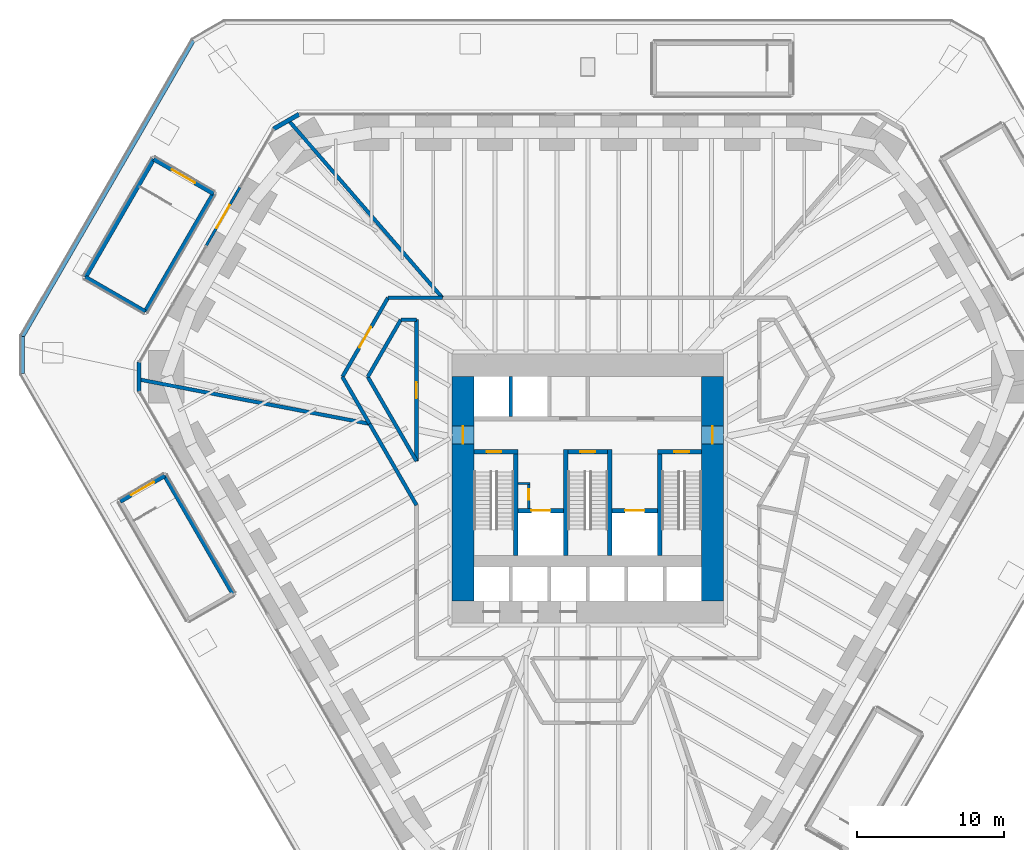
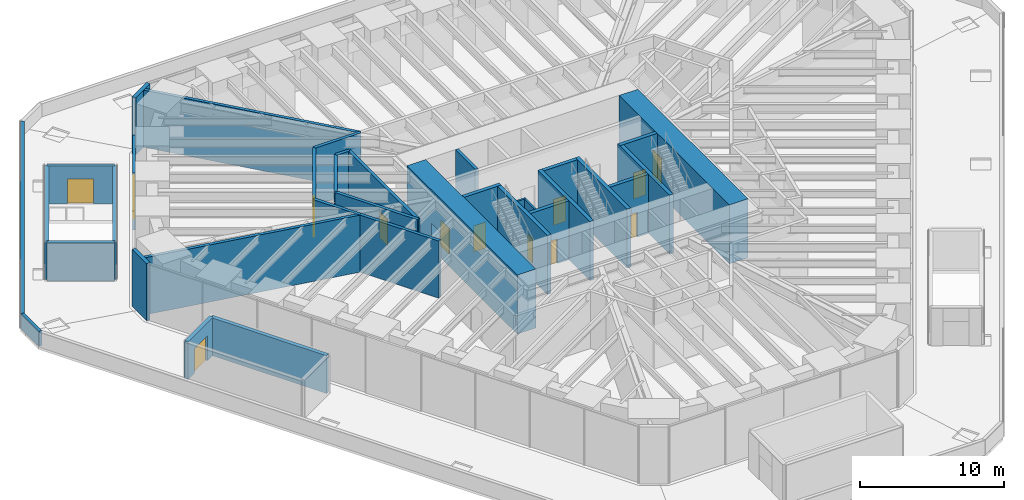
# One storey, part 12 of 20: 35 walls, 13 doors, 13 openings.
"""IFC4 building model written with IfcOpenShell, lengths in metres."""

from ifc_helpers import new_model, si_unit, direction, frame, frame_2d, origin, place, context, subcontext, project, spatial, rectangle, extrude, material, layer, layer_set, type_object, element, fill, save


model = new_model("IFC4")

# Units and contexts
model_context = context("Model", 3, precision=1e-05, world=origin(), true_north=direction((0.0, 1.0)))
body_context = subcontext(model_context, "Body", "Model", "MODEL_VIEW")
ifc_project = project(units=[si_unit("LENGTHUNIT", "METRE"), si_unit("AREAUNIT", "SQUARE_METRE"), si_unit("VOLUMEUNIT", "CUBIC_METRE"), si_unit("PLANEANGLEUNIT", "RADIAN"), si_unit("MASSUNIT", "GRAM", prefix="KILO")], contexts=[model_context])

# Site, building, storey
site_placement = place(None, origin())
site = spatial("IfcSite", under=ifc_project, at=site_placement, CompositionType="ELEMENT")
building_placement = place(site_placement, origin())
building = spatial("IfcBuilding", under=site, at=building_placement, Name="Sandreach Pilgrim Tower", CompositionType="ELEMENT")
storey_placement = place(building_placement, frame((0.0, 0.0, 18.0)))
storey = spatial("IfcBuildingStorey", under=building, at=storey_placement, Name="L03", CompositionType="ELEMENT", Elevation=18.0)

# Walls
ifc_material_1 = material(Name="Concrete 10000 psi", Category="concrete")
ifc_layer_1 = layer(ifc_material_1, 0.300048828125)
ifc_layer_set_1 = layer_set([ifc_layer_1], Name="Core inner wall 300")
wall_type_1 = type_object("IfcWallType", Name="Core inner wall 300", PredefinedType="SHEAR", material=ifc_layer_set_1)
for number, where, z_axis, x_axis, name in (
    (1, (-4.89990234375, -6.10009765625, 0.0), (0.0, 0.0, 1.0), (0.0, 1.0, 0.0), "Core wall I0 L03"),
    (2, (-1.5, -6.10009765625, 0.0), (0.0, 0.0, 1.0), (0.0, 1.0, 0.0), "Core wall I1 L03"),
    (3, (1.5, -6.10009765625, 0.0), (0.0, 0.0, 1.0), (0.0, 1.0, 0.0), "Core wall I2 L03"),
    (4, (4.89990234375, -6.10009765625, 0.0), (0.0, 0.0, 1.0), (0.0, 1.0, 0.0), "Core wall I3 L03"),
):
    element("IfcWall", number, at=place(storey_placement, frame(where, z_axis=z_axis, x_axis=x_axis)), inside=storey, type_object=wall_type_1, Name=name, PredefinedType="SHEAR", context=body_context, shape_type="SweptSolid", body=[
        extrude(rectangle(XDim=7.2001953125, YDim=0.300048828125, at=frame_2d((3.60009765625, 0.0))), origin(), (0.0, 0.0, 1.0), 5.0),
    ])

# Wall, opening, door
wall_1_placement = place(storey_placement, frame((-7.75, 0.949951171875, 0.0), z_axis=(0.0, 0.0, 1.0), x_axis=(1.0, 0.0, 0.0)))
wall_1 = element("IfcWall", 5, at=wall_1_placement, inside=storey, type_object=wall_type_1, Name="Core wall SN1 L03", PredefinedType="SHEAR", context=body_context, shape_type="SweptSolid", body=[
    extrude(rectangle(XDim=3.0, YDim=0.300048828125, at=frame_2d((1.5, 0.0))), origin(), (0.0, 0.0, 1.0), 5.0),
])
opening_1_placement = place(wall_1_placement, frame((0.85009765625, 0.0, 0.0)))
opening_1 = element("IfcOpeningElement", 6, at=opening_1_placement, cuts=wall_1, Name="Opening D10S-ST1", PredefinedType="OPENING", context=body_context, shape_type="SweptSolid", body=[
    extrude(rectangle(XDim=1.0, YDim=2.199951171875, at=frame_2d((0.5, 1.10009765625))), frame((0.0, 0.14990234375, 0.0), z_axis=(0.0, -1.0, 0.0), x_axis=(1.0, 0.0, 0.0)), (0.0, 0.0, 1.0), 0.300048828125),
])
ifc_material_2 = material(Name="Steel door and frame", Category="steel")
door_type_1 = type_object("IfcDoorType", Name="Stair door", OperationType="SINGLE_SWING_LEFT", PredefinedType="DOOR", material=ifc_material_2)
door_1_placement = place(opening_1_placement, origin())
door_1 = element("IfcDoor", 7, at=door_1_placement, inside=storey, type_object=door_type_1, Name="Stair door ST1 L03", OperationType="SINGLE_SWING_LEFT", OverallHeight=2.199951171875, OverallWidth=1.0, PredefinedType="DOOR", context=body_context, shape_type="SweptSolid", body=[
    extrude(rectangle(XDim=1.0, YDim=2.199951171875, at=frame_2d((0.5, 1.10009765625))), frame((0.0, 0.02490234375, 0.0), z_axis=(0.0, -1.0, 0.0), x_axis=(1.0, 0.0, 0.0)), (0.0, 0.0, 1.0), 0.050048828125),
])
fill(opening_1, door_1)

wall_2_placement = place(storey_placement, frame((-1.35009765625, 0.949951171875, 0.0), z_axis=(0.0, 0.0, 1.0), x_axis=(1.0, 0.0, 0.0)))
wall_2 = element("IfcWall", 8, at=wall_2_placement, inside=storey, type_object=wall_type_1, Name="Core wall SN3 L03", PredefinedType="SHEAR", context=body_context, shape_type="SweptSolid", body=[
    extrude(rectangle(XDim=2.7001953125, YDim=0.300048828125, at=frame_2d((1.35009765625, 0.0))), origin(), (0.0, 0.0, 1.0), 5.0),
])
opening_2_placement = place(wall_2_placement, frame((0.85009765625, 0.0, 0.0)))
opening_2 = element("IfcOpeningElement", 9, at=opening_2_placement, cuts=wall_2, Name="Opening D10S-ST3", PredefinedType="OPENING", context=body_context, shape_type="SweptSolid", body=[
    extrude(rectangle(XDim=1.0, YDim=2.199951171875, at=frame_2d((0.5, 1.10009765625))), frame((0.0, 0.14990234375, 0.0), z_axis=(0.0, -1.0, 0.0), x_axis=(1.0, 0.0, 0.0)), (0.0, 0.0, 1.0), 0.300048828125),
])
door_2_placement = place(opening_2_placement, origin())
door_2 = element("IfcDoor", 10, at=door_2_placement, inside=storey, type_object=door_type_1, Name="Stair door ST3 L03", OperationType="SINGLE_SWING_LEFT", OverallHeight=2.199951171875, OverallWidth=1.0, PredefinedType="DOOR", context=body_context, shape_type="SweptSolid", body=[
    extrude(rectangle(XDim=1.0, YDim=2.199951171875, at=frame_2d((0.5, 1.10009765625))), frame((0.0, 0.02490234375, 0.0), z_axis=(0.0, -1.0, 0.0), x_axis=(1.0, 0.0, 0.0)), (0.0, 0.0, 1.0), 0.050048828125),
])
fill(opening_2, door_2)

wall_3_placement = place(storey_placement, frame((4.75, 0.949951171875, 0.0), z_axis=(0.0, 0.0, 1.0), x_axis=(1.0, 0.0, 0.0)))
wall_3 = element("IfcWall", 11, at=wall_3_placement, inside=storey, type_object=wall_type_1, Name="Core wall SN2 L03", PredefinedType="SHEAR", context=body_context, shape_type="SweptSolid", body=[
    extrude(rectangle(XDim=3.0, YDim=0.300048828125, at=frame_2d((1.5, 0.0))), origin(), (0.0, 0.0, 1.0), 5.0),
])
opening_3_placement = place(wall_3_placement, frame((1.14990234375, 0.0, 0.0)))
opening_3 = element("IfcOpeningElement", 12, at=opening_3_placement, cuts=wall_3, Name="Opening D10S-ST2", PredefinedType="OPENING", context=body_context, shape_type="SweptSolid", body=[
    extrude(rectangle(XDim=1.0, YDim=2.199951171875, at=frame_2d((0.5, 1.10009765625))), frame((0.0, 0.14990234375, 0.0), z_axis=(0.0, -1.0, 0.0), x_axis=(1.0, 0.0, 0.0)), (0.0, 0.0, 1.0), 0.300048828125),
])
door_3_placement = place(opening_3_placement, origin())
door_3 = element("IfcDoor", 13, at=door_3_placement, inside=storey, type_object=door_type_1, Name="Stair door ST2 L03", OperationType="SINGLE_SWING_RIGHT", OverallHeight=2.199951171875, OverallWidth=1.0, PredefinedType="DOOR", context=body_context, shape_type="SweptSolid", body=[
    extrude(rectangle(XDim=1.0, YDim=2.199951171875, at=frame_2d((0.5, 1.10009765625))), frame((0.0, 0.02490234375, 0.0), z_axis=(0.0, -1.0, 0.0), x_axis=(1.0, 0.0, 0.0)), (0.0, 0.0, 1.0), 0.050048828125),
])
fill(opening_3, door_3)

wall_4_placement = place(storey_placement, frame((-4.75, -3.050048828125, 0.0), z_axis=(0.0, 0.0, 1.0), x_axis=(1.0, 0.0, 0.0)))
wall_4 = element("IfcWall", 14, at=wall_4_placement, inside=storey, type_object=wall_type_1, Name="Core wall FL1 L03", PredefinedType="SHEAR", context=body_context, shape_type="SweptSolid", body=[
    extrude(rectangle(XDim=3.10009765625, YDim=0.300048828125, at=frame_2d((1.550048828125, 0.0))), origin(), (0.0, 0.0, 1.0), 5.0),
])
opening_4_placement = place(wall_4_placement, frame((0.89990234375, 0.0, 0.0)))
opening_4 = element("IfcOpeningElement", 15, at=opening_4_placement, cuts=wall_4, Name="Opening LD13", PredefinedType="OPENING", context=body_context, shape_type="SweptSolid", body=[
    extrude(rectangle(XDim=1.300048828125, YDim=2.10009765625, at=frame_2d((0.64990234375, 1.050048828125))), frame((0.0, 0.14990234375, 0.0), z_axis=(0.0, -1.0, 0.0), x_axis=(1.0, 0.0, 0.0)), (0.0, 0.0, 1.0), 0.300048828125),
])
ifc_material_3 = material(Name="Steel door and frame", Category="steel")
door_type_2 = type_object("IfcDoorType", Name="Fire service lift landing door", OperationType="DOUBLE_DOOR_SLIDING", PredefinedType="DOOR", material=ifc_material_3)
door_4_placement = place(opening_4_placement, origin())
door_4 = element("IfcDoor", 16, at=door_4_placement, inside=storey, type_object=door_type_2, Name="Lift landing door FS1 L03", OperationType="DOUBLE_DOOR_SLIDING", OverallHeight=2.10009765625, OverallWidth=1.300048828125, PredefinedType="DOOR", context=body_context, shape_type="SweptSolid", body=[
    extrude(rectangle(XDim=1.300048828125, YDim=2.10009765625, at=frame_2d((0.64990234375, 1.050048828125))), frame((0.0, 0.02490234375, 0.0), z_axis=(0.0, -1.0, 0.0), x_axis=(1.0, 0.0, 0.0)), (0.0, 0.0, 1.0), 0.050048828125),
])
fill(opening_4, door_4)

wall_5_placement = place(storey_placement, frame((1.64990234375, -3.050048828125, 0.0), z_axis=(0.0, 0.0, 1.0), x_axis=(1.0, 0.0, 0.0)))
wall_5 = element("IfcWall", 17, at=wall_5_placement, inside=storey, type_object=wall_type_1, Name="Core wall FL2 L03", PredefinedType="SHEAR", context=body_context, shape_type="SweptSolid", body=[
    extrude(rectangle(XDim=3.10009765625, YDim=0.300048828125, at=frame_2d((1.550048828125, 0.0))), origin(), (0.0, 0.0, 1.0), 5.0),
])
opening_5_placement = place(wall_5_placement, frame((0.89990234375, 0.0, 0.0)))
opening_5 = element("IfcOpeningElement", 18, at=opening_5_placement, cuts=wall_5, Name="Opening LD13", PredefinedType="OPENING", context=body_context, shape_type="SweptSolid", body=[
    extrude(rectangle(XDim=1.300048828125, YDim=2.10009765625, at=frame_2d((0.64990234375, 1.050048828125))), frame((0.0, 0.14990234375, 0.0), z_axis=(0.0, -1.0, 0.0), x_axis=(1.0, 0.0, 0.0)), (0.0, 0.0, 1.0), 0.300048828125),
])
door_5_placement = place(opening_5_placement, origin())
door_5 = element("IfcDoor", 19, at=door_5_placement, inside=storey, type_object=door_type_2, Name="Lift landing door FS2 L03", OperationType="DOUBLE_DOOR_SLIDING", OverallHeight=2.10009765625, OverallWidth=1.300048828125, PredefinedType="DOOR", context=body_context, shape_type="SweptSolid", body=[
    extrude(rectangle(XDim=1.300048828125, YDim=2.10009765625, at=frame_2d((0.64990234375, 1.050048828125))), frame((0.0, 0.02490234375, 0.0), z_axis=(0.0, -1.0, 0.0), x_axis=(1.0, 0.0, 0.0)), (0.0, 0.0, 1.0), 0.050048828125),
])
fill(opening_5, door_5)

ifc_material_4 = material(Name="Concrete 10000 psi", Category="concrete")
ifc_layer_2 = layer(ifc_material_4, 1.5)
ifc_layer_set_2 = layer_set([ifc_layer_2], Name="Core wall 1500")
wall_type_2 = type_object("IfcWallType", Name="Core wall 1500", PredefinedType="SHEAR", material=ifc_layer_set_2)
wall_6_placement = place(storey_placement, frame((-8.5, -9.199951171875, 0.0), z_axis=(0.0, 0.0, 1.0), x_axis=(0.0, 1.0, 0.0)))
wall_6 = element("IfcWall", 20, at=wall_6_placement, inside=storey, type_object=wall_type_2, Name="Core wall W L03", PredefinedType="SHEAR", context=body_context, shape_type="SweptSolid", body=[
    extrude(rectangle(XDim=15.300048828125, YDim=1.5, at=frame_2d((7.64990234375, 0.0))), origin(), (0.0, 0.0, 1.0), 5.0),
])
opening_6_placement = place(wall_6_placement, frame((10.699951171875, 0.0, 0.0)))
opening_6 = element("IfcOpeningElement", 21, at=opening_6_placement, cuts=wall_6, Name="Opening D12F-W", PredefinedType="OPENING", context=body_context, shape_type="SweptSolid", body=[
    extrude(rectangle(XDim=1.199951171875, YDim=2.199951171875, at=frame_2d((0.60009765625, 1.10009765625))), frame((0.0, 0.75, 0.0), z_axis=(0.0, -1.0, 0.0), x_axis=(1.0, 0.0, 0.0)), (0.0, 0.0, 1.0), 1.5),
])
ifc_material_5 = material(Name="Steel door and frame", Category="steel")
door_type_3 = type_object("IfcDoorType", Name="Fire lobby door", OperationType="SINGLE_SWING_LEFT", PredefinedType="DOOR", material=ifc_material_5)
door_6_placement = place(opening_6_placement, origin())
door_6 = element("IfcDoor", 22, at=door_6_placement, inside=storey, type_object=door_type_3, Name="Fire service lobby door W L03", OperationType="SINGLE_SWING_RIGHT", OverallHeight=2.199951171875, OverallWidth=1.199951171875, PredefinedType="DOOR", context=body_context, shape_type="SweptSolid", body=[
    extrude(rectangle(XDim=1.199951171875, YDim=2.199951171875, at=frame_2d((0.60009765625, 1.10009765625))), frame((0.0, 0.02490234375, 0.0), z_axis=(0.0, -1.0, 0.0), x_axis=(1.0, 0.0, 0.0)), (0.0, 0.0, 1.0), 0.050048828125),
])
fill(opening_6, door_6)

wall_7_placement = place(storey_placement, frame((8.5, -9.199951171875, 0.0), z_axis=(0.0, 0.0, 1.0), x_axis=(0.0, 1.0, 0.0)))
wall_7 = element("IfcWall", 23, at=wall_7_placement, inside=storey, type_object=wall_type_2, Name="Core wall E L03", PredefinedType="SHEAR", context=body_context, shape_type="SweptSolid", body=[
    extrude(rectangle(XDim=15.300048828125, YDim=1.5, at=frame_2d((7.64990234375, 0.0))), origin(), (0.0, 0.0, 1.0), 5.0),
])
opening_7_placement = place(wall_7_placement, frame((10.699951171875, 0.0, 0.0)))
opening_7 = element("IfcOpeningElement", 24, at=opening_7_placement, cuts=wall_7, Name="Opening D12F-E", PredefinedType="OPENING", context=body_context, shape_type="SweptSolid", body=[
    extrude(rectangle(XDim=1.199951171875, YDim=2.199951171875, at=frame_2d((0.60009765625, 1.10009765625))), frame((0.0, 0.75, 0.0), z_axis=(0.0, -1.0, 0.0), x_axis=(1.0, 0.0, 0.0)), (0.0, 0.0, 1.0), 1.5),
])
door_7_placement = place(opening_7_placement, origin())
door_7 = element("IfcDoor", 25, at=door_7_placement, inside=storey, type_object=door_type_3, Name="Fire service lobby door E L03", OperationType="SINGLE_SWING_RIGHT", OverallHeight=2.199951171875, OverallWidth=1.199951171875, PredefinedType="DOOR", context=body_context, shape_type="SweptSolid", body=[
    extrude(rectangle(XDim=1.199951171875, YDim=2.199951171875, at=frame_2d((0.60009765625, 1.10009765625))), frame((0.0, 0.02490234375, 0.0), z_axis=(0.0, -1.0, 0.0), x_axis=(1.0, 0.0, 0.0)), (0.0, 0.0, 1.0), 0.050048828125),
])
fill(opening_7, door_7)

ifc_material_6 = material(Name="Glazed aluminium screen", Category="aluminium")
ifc_layer_3 = layer(ifc_material_6, 0.179931640625)
ifc_layer_set_3 = layer_set([ifc_layer_3], Name="Glazed entrance screen wall")
wall_type_3 = type_object("IfcWallType", Name="Glazed entrance screen wall", PredefinedType="SOLIDWALL", material=ifc_layer_set_3)
wall_8_placement = place(storey_placement, frame((-25.990234375, 15.00537109375, 0.0), z_axis=(0.0, 0.0, 1.0), x_axis=(0.499986657325, 0.866033107044, 0.0)))
wall_8 = element("IfcWall", 26, at=wall_8_placement, inside=storey, type_object=wall_type_3, Name="Terrace screen wall L03 NW", PredefinedType="SOLIDWALL", context=body_context, shape_type="SweptSolid", body=[
    extrude(rectangle(XDim=4.586181640625, YDim=0.179931640625, at=frame_2d((2.29296875, 0.0))), origin(), (0.0, 0.0, 1.0), 4.840087890625),
])
opening_8_placement = place(wall_8_placement, frame((1.39306640625, 0.0, 0.0)))
opening_8 = element("IfcOpeningElement", 27, at=opening_8_placement, cuts=wall_8, Name="Opening D18T-NW1", PredefinedType="OPENING", context=body_context, shape_type="SweptSolid", body=[
    extrude(rectangle(XDim=1.800048828125, YDim=2.39990234375, at=frame_2d((0.89990234375, 1.199951171875))), frame((0.0, 0.08984375, 0.0), z_axis=(0.0, -1.0, 0.0), x_axis=(1.0, 0.0, 0.0)), (0.0, 0.0, 1.0), 0.179931640625),
])
ifc_material_7 = material(Name="Aluminium and glass", Category="aluminium")
door_type_4 = type_object("IfcDoorType", Name="Terrace double door", OperationType="DOUBLE_DOOR_SINGLE_SWING", PredefinedType="DOOR", material=ifc_material_7)
door_8_placement = place(opening_8_placement, origin())
door_8 = element("IfcDoor", 28, at=door_8_placement, inside=storey, type_object=door_type_4, Name="Terrace door L03 NW1", OperationType="SINGLE_SWING_LEFT", OverallHeight=2.39990234375, OverallWidth=1.800048828125, PredefinedType="DOOR", context=body_context, shape_type="SweptSolid", body=[
    extrude(rectangle(XDim=1.800048828125, YDim=2.39990234375, at=frame_2d((0.89990234375, 1.199951171875))), frame((0.0, 0.02490234375, 0.0), z_axis=(0.0, -1.0, 0.0), x_axis=(1.0, 0.0, 0.0)), (0.0, 0.0, 1.0), 0.050048828125),
])
fill(opening_8, door_8)

# Walls
ifc_material_8 = material(Name="Acoustic gypsum board wall, double frame", Category="gypsum")
ifc_layer_4 = layer(ifc_material_8, 0.25)
ifc_layer_set_4 = layer_set([ifc_layer_4], Name="Hall partition 250")
wall_type_4 = type_object("IfcWallType", Name="Hall partition 250", PredefinedType="PARTITIONING", material=ifc_layer_set_4)
wall_9_placement = place(storey_placement, frame((-30.590576171875, 5.88427734375, 0.0), z_axis=(0.0, 0.0, 1.0), x_axis=(0.981994806005, -0.188907916665, 0.0)))
element("IfcWall", 29, at=wall_9_placement, inside=storey, type_object=wall_type_4, Name="Hall partition L03-001", PredefinedType="PARTITIONING", context=body_context, shape_type="SweptSolid", body=[
    extrude(rectangle(XDim=16.0087890625, YDim=0.25, at=frame_2d((8.00439453125, 0.0))), origin(), (0.0, 0.0, 1.0), 4.840087890625),
])
wall_10_placement = place(storey_placement, frame((-16.719970703125, 6.06005859375, 0.0), z_axis=(0.0, 0.0, 1.0), x_axis=(0.500499855385, -0.86573661974, 0.0)))
element("IfcWall", 30, at=wall_10_placement, inside=storey, type_object=wall_type_4, Name="Hall partition L03-002", PredefinedType="PARTITIONING", context=body_context, shape_type="SweptSolid", body=[
    extrude(rectangle(XDim=3.696533203125, YDim=0.25, at=frame_2d((1.84814453125, 0.0))), origin(), (0.0, 0.0, 1.0), 4.840087890625),
])
wall_11_placement = place(storey_placement, frame((-14.989990234375, 6.06005859375, 0.0), z_axis=(0.0, 0.0, 1.0), x_axis=(0.50069571766, 0.865623358232, 0.0)))
element("IfcWall", 31, at=wall_11_placement, inside=storey, type_object=wall_type_4, Name="Hall partition L03-003", PredefinedType="PARTITIONING", context=body_context, shape_type="SweptSolid", body=[
    extrude(rectangle(XDim=4.49365234375, YDim=0.25, at=frame_2d((2.246826171875, 0.0))), origin(), (0.0, 0.0, 1.0), 4.840087890625),
])
wall_12_placement = place(storey_placement, frame((-14.8701171875, 2.860107421875, 0.0), z_axis=(0.0, 0.0, 1.0), x_axis=(0.500193675883, -0.865913556082, 0.0)))
element("IfcWall", 32, at=wall_12_placement, inside=storey, type_object=wall_type_4, Name="Hall partition L03-004", PredefinedType="PARTITIONING", context=body_context, shape_type="SweptSolid", body=[
    extrude(rectangle(XDim=6.39794921875, YDim=0.25, at=frame_2d((3.198974609375, 0.0))), origin(), (0.0, 0.0, 1.0), 4.840087890625),
])

# Wall, opening, door
wall_13_placement = place(storey_placement, frame((-13.610107421875, 11.449951171875, 0.0), z_axis=(0.0, 0.0, 1.0), x_axis=(-0.499759814377, -0.866164030617, 0.0)))
wall_13 = element("IfcWall", 33, at=wall_13_placement, inside=storey, type_object=wall_type_4, Name="Hall partition L03-005", PredefinedType="PARTITIONING", context=body_context, shape_type="SweptSolid", body=[
    extrude(rectangle(XDim=6.22265625, YDim=0.25, at=frame_2d((3.111328125, 0.0))), origin(), (0.0, 0.0, 1.0), 4.840087890625),
])
opening_9_placement = place(wall_13_placement, frame((2.3115234375, 0.0, 0.0)))
opening_9 = element("IfcOpeningElement", 34, at=opening_9_placement, cuts=wall_13, Name="Opening D16-06", PredefinedType="OPENING", context=body_context, shape_type="SweptSolid", body=[
    extrude(rectangle(XDim=1.60009765625, YDim=2.39990234375, at=frame_2d((0.800048828125, 1.199951171875))), frame((0.0, 0.125, 0.0), z_axis=(0.0, -1.0, 0.0), x_axis=(1.0, 0.0, 0.0)), (0.0, 0.0, 1.0), 0.25),
])
ifc_material_9 = material(Name="Steel door and frame", Category="steel")
door_type_5 = type_object("IfcDoorType", Name="Hall double door", OperationType="DOUBLE_DOOR_SINGLE_SWING", PredefinedType="DOOR", material=ifc_material_9)
door_9_placement = place(opening_9_placement, origin())
door_9 = element("IfcDoor", 35, at=door_9_placement, inside=storey, type_object=door_type_5, Name="Door 0306", OperationType="DOUBLE_DOOR_SINGLE_SWING", OverallHeight=2.39990234375, OverallWidth=1.60009765625, PredefinedType="DOOR", context=body_context, shape_type="SweptSolid", body=[
    extrude(rectangle(XDim=1.60009765625, YDim=2.39990234375, at=frame_2d((0.800048828125, 1.199951171875))), frame((0.0, 0.02490234375, 0.0), z_axis=(0.0, -1.0, 0.0), x_axis=(1.0, 0.0, 0.0)), (0.0, 0.0, 1.0), 0.050048828125),
])
fill(opening_9, door_9)

# Walls
wall_14_placement = place(storey_placement, frame((-12.739990234375, 9.949951171875, 0.0), z_axis=(0.0, 0.0, 1.0), x_axis=(1.0, 0.0, 0.0)))
element("IfcWall", 36, at=wall_14_placement, inside=storey, type_object=wall_type_4, Name="Hall partition L03-006", PredefinedType="PARTITIONING", context=body_context, shape_type="SweptSolid", body=[
    extrude(rectangle(XDim=1.070068359375, YDim=0.25, at=frame_2d((0.53515625, 0.0))), origin(), (0.0, 0.0, 1.0), 4.840087890625),
])
wall_15_placement = place(storey_placement, frame((-11.669921875, 0.320068359375, 0.0), z_axis=(0.0, 0.0, 1.0), x_axis=(-0.500687910341, 0.865627874111, 0.0)))
element("IfcWall", 37, at=wall_15_placement, inside=storey, type_object=wall_type_4, Name="Hall partition L03-009", PredefinedType="PARTITIONING", context=body_context, shape_type="SweptSolid", body=[
    extrude(rectangle(XDim=6.631103515625, YDim=0.25, at=frame_2d((3.3154296875, 0.0))), origin(), (0.0, 0.0, 1.0), 4.840087890625),
])

# Wall, opening, door
wall_16_placement = place(storey_placement, frame((-11.669921875, 9.949951171875, 0.0), z_axis=(0.0, 0.0, 1.0), x_axis=(0.0, -1.0, 0.0)))
wall_16 = element("IfcWall", 38, at=wall_16_placement, inside=storey, type_object=wall_type_4, Name="Hall partition L03-010", PredefinedType="PARTITIONING", context=body_context, shape_type="SweptSolid", body=[
    extrude(rectangle(XDim=9.6298828125, YDim=0.25, at=frame_2d((4.81494140625, 0.0))), origin(), (0.0, 0.0, 1.0), 4.840087890625),
])
opening_10_placement = place(wall_16_placement, frame((4.264892578125, 0.0, 0.0)))
opening_10 = element("IfcOpeningElement", 39, at=opening_10_placement, cuts=wall_16, Name="Opening D11H-B2", PredefinedType="OPENING", context=body_context, shape_type="SweptSolid", body=[
    extrude(rectangle(XDim=1.10009765625, YDim=2.199951171875, at=frame_2d((0.550048828125, 1.10009765625))), frame((0.0, 0.125, 0.0), z_axis=(0.0, -1.0, 0.0), x_axis=(1.0, 0.0, 0.0)), (0.0, 0.0, 1.0), 0.25),
])
ifc_material_10 = material(Name="Steel door and frame", Category="steel")
door_type_6 = type_object("IfcDoorType", Name="Back of house door", OperationType="SINGLE_SWING_LEFT", PredefinedType="DOOR", material=ifc_material_10)
door_10_placement = place(opening_10_placement, origin())
door_10 = element("IfcDoor", 40, at=door_10_placement, inside=storey, type_object=door_type_6, Name="Door 03B2", OperationType="SINGLE_SWING_LEFT", OverallHeight=2.199951171875, OverallWidth=1.10009765625, PredefinedType="DOOR", context=body_context, shape_type="SweptSolid", body=[
    extrude(rectangle(XDim=1.10009765625, YDim=2.199951171875, at=frame_2d((0.550048828125, 1.10009765625))), frame((0.0, 0.02490234375, 0.0), z_axis=(0.0, -1.0, 0.0), x_axis=(1.0, 0.0, 0.0)), (0.0, 0.0, 1.0), 0.050048828125),
])
fill(opening_10, door_10)

# Walls
wall_17_placement = place(storey_placement, frame((-9.909912109375, 11.449951171875, 0.0), z_axis=(0.0, 0.0, 1.0), x_axis=(-0.655146445725, 0.7555019091, 0.0)))
element("IfcWall", 41, at=wall_17_placement, inside=storey, type_object=wall_type_4, Name="Hall partition L03-012", PredefinedType="PARTITIONING", context=body_context, shape_type="SweptSolid", body=[
    extrude(rectangle(XDim=16.012451171875, YDim=0.25, at=frame_2d((8.00634765625, 0.0))), origin(), (0.0, 0.0, 1.0), 4.840087890625),
])
wall_18_placement = place(storey_placement, frame((-9.909912109375, 11.449951171875, 0.0), z_axis=(0.0, 0.0, 1.0), x_axis=(-1.0, 0.0, 0.0)))
element("IfcWall", 42, at=wall_18_placement, inside=storey, type_object=wall_type_4, Name="Hall partition L03-013", PredefinedType="PARTITIONING", context=body_context, shape_type="SweptSolid", body=[
    extrude(rectangle(XDim=3.7001953125, YDim=0.25, at=frame_2d((1.85009765625, 0.0))), origin(), (0.0, 0.0, 1.0), 4.840087890625),
])

# Wall, opening, door
ifc_material_11 = material(Name="Gypsum shaft wall on steel studs, shaft liner board", Category="steel")
ifc_layer_5 = layer(ifc_material_11, 0.14990234375)
ifc_layer_set_5 = layer_set([ifc_layer_5], Name="Riser shaft wall 150")
wall_type_5 = type_object("IfcWallType", Name="Riser shaft wall 150", PredefinedType="PARTITIONING", material=ifc_layer_set_5)
wall_19_placement = place(storey_placement, frame((-4.02490234375, -2.89990234375, 0.0), z_axis=(0.0, 0.0, 1.0), x_axis=(0.0, 1.0, 0.0)))
wall_19 = element("IfcWall", 43, at=wall_19_placement, inside=storey, type_object=wall_type_5, Name="Riser partition L03 side", PredefinedType="PARTITIONING", context=body_context, shape_type="SweptSolid", body=[
    extrude(rectangle(XDim=1.77490234375, YDim=0.14990234375, at=frame_2d((0.887451171875, 0.0))), origin(), (0.0, 0.0, 1.0), 4.840087890625),
])
opening_11_placement = place(wall_19_placement, frame((0.60009765625, 0.0, 0.0)))
opening_11 = element("IfcOpeningElement", 44, at=opening_11_placement, cuts=wall_19, Name="Opening D07R", PredefinedType="OPENING", context=body_context, shape_type="SweptSolid", body=[
    extrude(rectangle(XDim=0.699951171875, YDim=2.10009765625, at=frame_2d((0.35009765625, 1.050048828125))), frame((0.0, 0.074951171875, 0.0), z_axis=(0.0, -1.0, 0.0), x_axis=(1.0, 0.0, 0.0)), (0.0, 0.0, 1.0), 0.14990234375),
])
ifc_material_12 = material(Name="Steel door and frame, smoke seals", Category="steel")
door_type_7 = type_object("IfcDoorType", Name="Riser access door", OperationType="SINGLE_SWING_RIGHT", PredefinedType="DOOR", material=ifc_material_12)
door_11_placement = place(opening_11_placement, origin())
door_11 = element("IfcDoor", 45, at=door_11_placement, inside=storey, type_object=door_type_7, Name="Door riser 03ER", OperationType="SINGLE_SWING_RIGHT", OverallHeight=2.10009765625, OverallWidth=0.699951171875, PredefinedType="DOOR", context=body_context, shape_type="SweptSolid", body=[
    extrude(rectangle(XDim=0.699951171875, YDim=2.10009765625, at=frame_2d((0.35009765625, 1.050048828125))), frame((0.0, 0.02490234375, 0.0), z_axis=(0.0, -1.0, 0.0), x_axis=(1.0, 0.0, 0.0)), (0.0, 0.0, 1.0), 0.050048828125),
])
fill(opening_11, door_11)

# Walls
wall_20_placement = place(storey_placement, frame((-4.75, -1.199951171875, 0.0), z_axis=(0.0, 0.0, 1.0), x_axis=(1.0, 0.0, 0.0)))
element("IfcWall", 46, at=wall_20_placement, inside=storey, type_object=wall_type_5, Name="Riser partition L03 front", PredefinedType="PARTITIONING", context=body_context, shape_type="SweptSolid", body=[
    extrude(rectangle(XDim=0.800048828125, YDim=0.14990234375, at=frame_2d((0.39990234375, 0.0))), origin(), (0.0, 0.0, 1.0), 4.840087890625),
])
ifc_material_13 = material(Name="Concrete parapet with terracotta coping", Category="masonry")
ifc_layer_6 = layer(ifc_material_13, 0.25)
ifc_layer_set_6 = layer_set([ifc_layer_6], Name="Setback parapet")
wall_type_6 = type_object("IfcWallType", Name="Setback parapet", PredefinedType="PARAPET", material=ifc_layer_set_6)
wall_21_placement = place(storey_placement, frame((-26.86962890625, 28.950927734375, -0.14990234375), z_axis=(0.0, 0.0, 1.0), x_axis=(-0.50000302432, -0.866023657685, 0.0)))
element("IfcWall", 47, at=wall_21_placement, inside=storey, type_object=wall_type_6, Name="Setback parapet L03 2", PredefinedType="PARAPET", context=body_context, shape_type="SweptSolid", body=[
    extrude(rectangle(XDim=23.274658203125, YDim=0.25, at=frame_2d((11.63720703125, 0.0))), origin(), (0.0, 0.0, 1.0), 1.25),
])
wall_22_placement = place(storey_placement, frame((-38.507080078125, 8.79443359375, -0.14990234375), z_axis=(0.0, 0.0, 1.0), x_axis=(0.000686072562, -0.999999764652, 0.0)))
element("IfcWall", 48, at=wall_22_placement, inside=storey, type_object=wall_type_6, Name="Setback parapet L03 3", PredefinedType="PARAPET", context=body_context, shape_type="SweptSolid", body=[
    extrude(rectangle(XDim=2.490966796875, YDim=0.25, at=frame_2d((1.24560546875, 0.0))), origin(), (0.0, 0.0, 1.0), 1.25),
])
ifc_material_14 = material(Name="Gypsum shaft wall on steel studs, two layers of shaft liner board", Category="steel")
ifc_layer_7 = layer(ifc_material_14, 0.25)
ifc_layer_set_7 = layer_set([ifc_layer_7], Name="Shaft partition 250")
wall_type_7 = type_object("IfcWallType", Name="Shaft partition 250", PredefinedType="PARTITIONING", material=ifc_layer_set_7)
wall_23_placement = place(storey_placement, frame((-5.25, 3.35009765625, 0.0), z_axis=(0.0, 0.0, 1.0), x_axis=(0.0, 1.0, 0.0)))
element("IfcWall", 49, at=wall_23_placement, inside=storey, type_object=wall_type_7, Name="Shaft partition NS0 L03", PredefinedType="PARTITIONING", context=body_context, shape_type="SweptSolid", body=[
    extrude(rectangle(XDim=2.75, YDim=0.25, at=frame_2d((1.375, 0.0))), origin(), (0.0, 0.0, 1.0), 5.0),
])
ifc_material_15 = material(Name="Concrete 8000 psi", Category="concrete")
ifc_layer_8 = layer(ifc_material_15, 0.300048828125)
ifc_layer_set_8 = layer_set([ifc_layer_8], Name="Stair head-house wall 300")
wall_type_8 = type_object("IfcWallType", Name="Stair head-house wall 300", PredefinedType="SHEAR", material=ifc_layer_set_8)
wall_24_placement = place(storey_placement, frame((-25.503662109375, 18.548095703125, 0.0), z_axis=(0.0, 0.0, 1.0), x_axis=(-0.500004225487, -0.866022964185, 0.0)))
element("IfcWall", 50, at=wall_24_placement, inside=storey, type_object=wall_type_8, Name="Stair ST6 head-house wall 1", PredefinedType="SHEAR", context=body_context, shape_type="SweptSolid", body=[
    extrude(rectangle(XDim=9.30029296875, YDim=0.300048828125, at=frame_2d((4.650146484375, 0.0))), origin(), (0.0, 0.0, 1.0), 3.199951171875),
])
wall_25_placement = place(storey_placement, frame((-30.15380859375, 10.493896484375, 0.0), z_axis=(0.0, 0.0, 1.0), x_axis=(-0.866016039709, 0.500016218704, 0.0)))
element("IfcWall", 51, at=wall_25_placement, inside=storey, type_object=wall_type_8, Name="Stair ST6 head-house wall 2", PredefinedType="SHEAR", context=body_context, shape_type="SweptSolid", body=[
    extrude(rectangle(XDim=4.699951171875, YDim=0.300048828125, at=frame_2d((2.35009765625, 0.0))), origin(), (0.0, 0.0, 1.0), 3.199951171875),
])
wall_26_placement = place(storey_placement, frame((-34.22412109375, 12.843994140625, 0.0), z_axis=(0.0, 0.0, 1.0), x_axis=(0.500015592816, 0.866016401081, 0.0)))
element("IfcWall", 52, at=wall_26_placement, inside=storey, type_object=wall_type_8, Name="Stair ST6 head-house wall 3", PredefinedType="SHEAR", context=body_context, shape_type="SweptSolid", body=[
    extrude(rectangle(XDim=9.300048828125, YDim=0.300048828125, at=frame_2d((4.64990234375, 0.0))), origin(), (0.0, 0.0, 1.0), 3.199951171875),
])

# Wall, opening, door
wall_27_placement = place(storey_placement, frame((-29.573974609375, 20.89794921875, 0.0), z_axis=(0.0, 0.0, 1.0), x_axis=(0.866038532462, -0.499977259774, 0.0)))
wall_27 = element("IfcWall", 53, at=wall_27_placement, inside=storey, type_object=wall_type_8, Name="Stair ST6 head-house wall 4", PredefinedType="SHEAR", context=body_context, shape_type="SweptSolid", body=[
    extrude(rectangle(XDim=4.699951171875, YDim=0.300048828125, at=frame_2d((2.35009765625, 0.0))), origin(), (0.0, 0.0, 1.0), 3.199951171875),
])
opening_12_placement = place(wall_27_placement, frame((1.449951171875, 0.0, 0.0)))
opening_12 = element("IfcOpeningElement", 54, at=opening_12_placement, cuts=wall_27, Name="Opening D18R-ST6", PredefinedType="OPENING", context=body_context, shape_type="SweptSolid", body=[
    extrude(rectangle(XDim=1.800048828125, YDim=2.10009765625, at=frame_2d((0.89990234375, 1.050048828125))), frame((0.0, 0.14990234375, 0.0), z_axis=(0.0, -1.0, 0.0), x_axis=(1.0, 0.0, 0.0)), (0.0, 0.0, 1.0), 0.300048828125),
])
ifc_material_16 = material(Name="Steel door and frame", Category="steel")
door_type_8 = type_object("IfcDoorType", Name="Head-house door", OperationType="DOUBLE_DOOR_SINGLE_SWING", PredefinedType="DOOR", material=ifc_material_16)
door_12_placement = place(opening_12_placement, origin())
door_12 = element("IfcDoor", 55, at=door_12_placement, inside=storey, type_object=door_type_8, Name="Head-house door ST6 L03", OperationType="DOUBLE_DOOR_SINGLE_SWING", OverallHeight=2.10009765625, OverallWidth=1.800048828125, PredefinedType="DOOR", context=body_context, shape_type="SweptSolid", body=[
    extrude(rectangle(XDim=1.800048828125, YDim=2.10009765625, at=frame_2d((0.89990234375, 1.050048828125))), frame((0.0, 0.02490234375, 0.0), z_axis=(0.0, -1.0, 0.0), x_axis=(1.0, 0.0, 0.0)), (0.0, 0.0, 1.0), 0.050048828125),
])
fill(opening_12, door_12)

# Wall
wall_28_placement = place(storey_placement, frame((-28.82421875, -0.67236328125, 0.0), z_axis=(0.0, 0.0, 1.0), x_axis=(0.499984536904, -0.866034331223, 0.0)))
element("IfcWall", 56, at=wall_28_placement, inside=storey, type_object=wall_type_8, Name="Stair ST9 head-house wall 1", PredefinedType="SHEAR", context=body_context, shape_type="SweptSolid", body=[
    extrude(rectangle(XDim=9.300048828125, YDim=0.300048828125, at=frame_2d((4.64990234375, 0.0))), origin(), (0.0, 0.0, 1.0), 3.199951171875),
])

# Wall, opening, door
wall_29_placement = place(storey_placement, frame((-31.855224609375, -2.42236328125, 0.0), z_axis=(0.0, 0.0, 1.0), x_axis=(0.866019471182, 0.500010275428, 0.0)))
wall_29 = element("IfcWall", 57, at=wall_29_placement, inside=storey, type_object=wall_type_8, Name="Stair ST9 head-house wall 4", PredefinedType="SHEAR", context=body_context, shape_type="SweptSolid", body=[
    extrude(rectangle(XDim=3.5, YDim=0.300048828125, at=frame_2d((1.75, 0.0))), origin(), (0.0, 0.0, 1.0), 3.199951171875),
])
opening_13_placement = place(wall_29_placement, frame((0.85009765625, 0.0, 0.0)))
opening_13 = element("IfcOpeningElement", 58, at=opening_13_placement, cuts=wall_29, Name="Opening D18R-ST9", PredefinedType="OPENING", context=body_context, shape_type="SweptSolid", body=[
    extrude(rectangle(XDim=1.800048828125, YDim=2.10009765625, at=frame_2d((0.89990234375, 1.050048828125))), frame((0.0, 0.14990234375, 0.0), z_axis=(0.0, -1.0, 0.0), x_axis=(1.0, 0.0, 0.0)), (0.0, 0.0, 1.0), 0.300048828125),
])
door_13_placement = place(opening_13_placement, origin())
door_13 = element("IfcDoor", 59, at=door_13_placement, inside=storey, type_object=door_type_8, Name="Head-house door ST9 L03", OperationType="DOUBLE_DOOR_SINGLE_SWING", OverallHeight=2.10009765625, OverallWidth=1.800048828125, PredefinedType="DOOR", context=body_context, shape_type="SweptSolid", body=[
    extrude(rectangle(XDim=1.800048828125, YDim=2.10009765625, at=frame_2d((0.89990234375, 1.050048828125))), frame((0.0, 0.02490234375, 0.0), z_axis=(0.0, -1.0, 0.0), x_axis=(1.0, 0.0, 0.0)), (0.0, 0.0, 1.0), 0.050048828125),
])
fill(opening_13, door_13)

# Walls
ifc_material_17 = material(Name="Terracotta rainscreen on concrete", Category="masonry")
ifc_layer_9 = layer(ifc_material_17, 0.300048828125)
ifc_layer_set_9 = layer_set([ifc_layer_9], Name="Terracotta chamfer pier")
wall_type_9 = type_object("IfcWallType", Name="Terracotta chamfer pier", PredefinedType="SOLIDWALL", material=ifc_layer_set_9)
for number, where, z_axis, x_axis, name in (
    (60, (-30.576171875, 5.062255859375, 0.0), (0.0, 0.0, 1.0), (0.0, 1.0, 0.0), "Chamfer pier L03 SW"),
    (61, (-21.404052734375, 22.94873046875, 0.0), (0.0, 0.0, 1.0), (0.866010750942, 0.50002537861, 0.0), "Chamfer pier L03 NW"),
):
    element("IfcWall", number, at=place(storey_placement, frame(where, z_axis=z_axis, x_axis=x_axis)), inside=storey, type_object=wall_type_9, Name=name, PredefinedType="SOLIDWALL", context=body_context, shape_type="SweptSolid", body=[
        extrude(rectangle(XDim=2.0, YDim=0.300048828125, at=frame_2d((1.0, 0.0))), origin(), (0.0, 0.0, 1.0), 4.840087890625),
    ])

save(model, "model.ifc")
